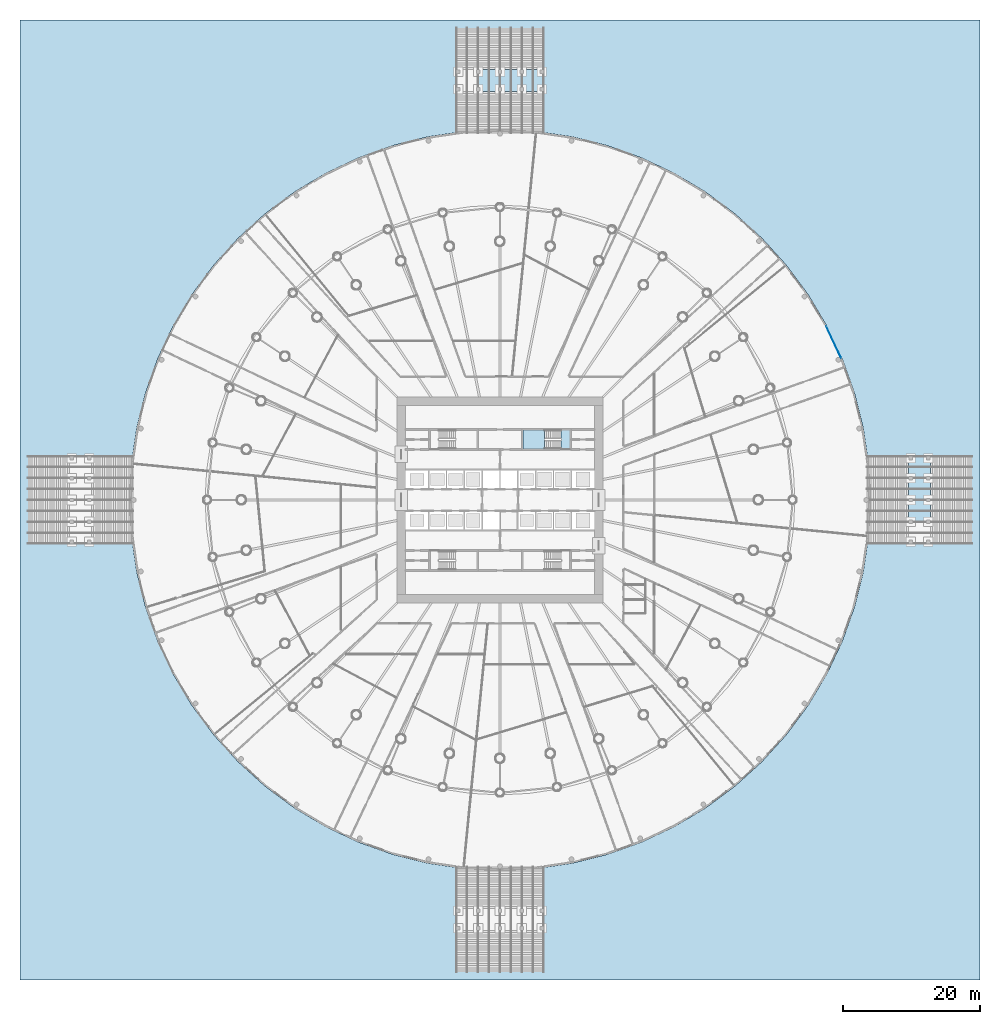
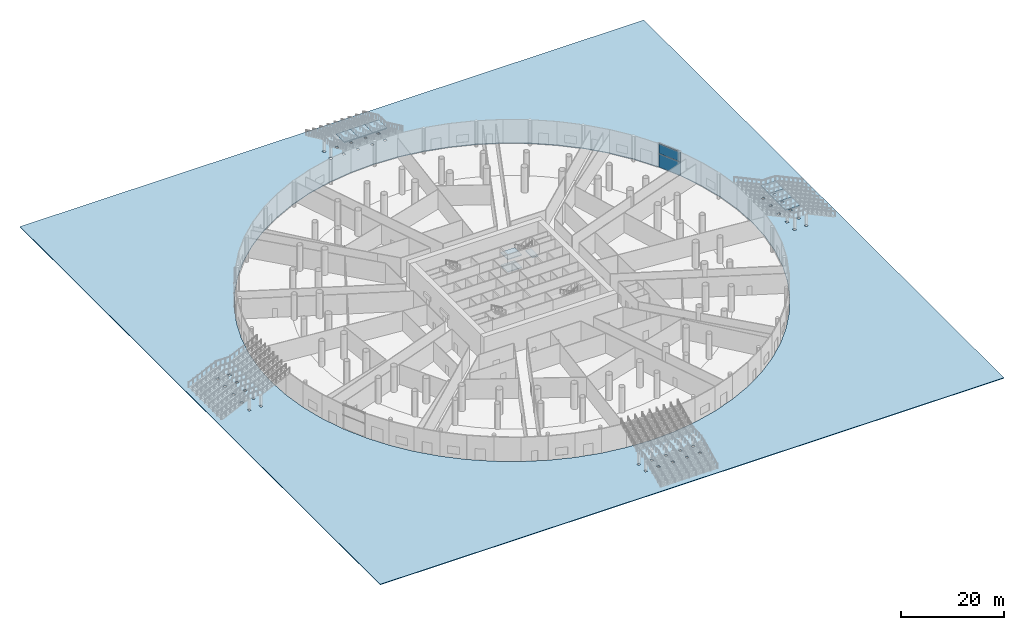
# One storey, part 12 of 33: 10 slabs, 2 plates, 8 elements without a shape of their own.
"""IFC4 building model written with IfcOpenShell, lengths in metres."""

import ifcopenshell
import ifcopenshell.guid

model = None  # the IFC model being written
_history = None  # IfcOwnerHistory: only IFC2X3 demands one
_inside = {}  # id of a spatial element -> (the spatial element, [elements in it])
_under = {}  # id of a project, library or spatial element -> (it, [spatial elements below it])
_declared = {}  # id of a project -> (the project, [libraries it declares])
_typed = {}  # id of a type object -> (the type object, [elements of that type])
_made_of = {}  # id of a material, layer set ... -> (it, [elements and type objects made of it])


def new_model(schema):
    """Start an empty IFC model of exactly this schema.

    Asked for "IFC4X3", IfcOpenShell would pick the latest addendum, in which some entities
    have other attributes; the version numbers below select the first issue.
    IFC2X3 requires an IfcOwnerHistory on every rooted entity: one is made here for all.
    """
    global model, _history
    if schema == "IFC4X3":
        model = ifcopenshell.file(schema_version=(4, 3, 0, 0))
    else:
        model = ifcopenshell.file(schema=schema)
    _inside.clear()
    _under.clear()
    _declared.clear()
    _typed.clear()
    _made_of.clear()
    _history = None
    if model.schema == "IFC2X3":
        org = make("IfcOrganization", Name="unknown")
        user = make(
            "IfcPersonAndOrganization",
            ThePerson=make("IfcPerson", FamilyName="unknown"),
            TheOrganization=org,
        )
        app = make(
            "IfcApplication",
            ApplicationDeveloper=org,
            Version="unknown",
            ApplicationFullName="unknown",
            ApplicationIdentifier="unknown",
        )
        _history = make(
            "IfcOwnerHistory",
            OwningUser=user,
            OwningApplication=app,
            ChangeAction="ADDED",
            CreationDate=0,
        )
    return model


def make(cls, **values):
    """One entity of the class cls with the attributes given. An attribute that is None is left unset."""
    return model.create_entity(
        cls, **{name: value for name, value in values.items() if value is not None}
    )


def rooted(cls, **values):
    """An entity with a GlobalId (a new one), such as an element, a storey or a relation."""
    return make(cls, GlobalId=ifcopenshell.guid.new(), OwnerHistory=_history, **values)


def si_unit(unit_type, name, prefix=None):
    """IfcSIUnit, for example si_unit("LENGTHUNIT", "METRE", prefix="MILLI")."""
    return make("IfcSIUnit", UnitType=unit_type, Prefix=prefix, Name=name)


def assignment(units):
    """IfcUnitAssignment: the units of a project."""
    return None if units is None else make("IfcUnitAssignment", Units=units)


def point(xyz):
    """IfcCartesianPoint."""
    return None if xyz is None else make("IfcCartesianPoint", Coordinates=xyz)


def direction(xyz):
    """IfcDirection."""
    return None if xyz is None else make("IfcDirection", DirectionRatios=xyz)


def frame(location, z_axis=None, x_axis=None):
    """IfcAxis2Placement3D, a coordinate frame: its origin and axes. An axis left out is left unset."""
    return make(
        "IfcAxis2Placement3D",
        Location=point(location),
        Axis=direction(z_axis),
        RefDirection=direction(x_axis),
    )


def frame_2d(location, x_axis=None):
    """IfcAxis2Placement2D, a coordinate frame in the plane: its origin and x axis."""
    return make(
        "IfcAxis2Placement2D", Location=point(location), RefDirection=direction(x_axis)
    )


def origin():
    """The frame at (0, 0, 0) with its axes left unset."""
    return frame((0.0, 0.0, 0.0))


def origin_2d():
    """The frame at (0, 0) in the plane with its x axis left unset."""
    return frame_2d((0.0, 0.0))


def place(relative_to, where):
    """IfcLocalPlacement: puts the frame where relative to a parent placement (None: the world)."""
    return make(
        "IfcLocalPlacement", PlacementRelTo=relative_to, RelativePlacement=where
    )


def context(
    kind, dimensions, precision=None, world=None, true_north=None, identifier=None
):
    """IfcGeometricRepresentationContext, for example the 3D "Model" context."""
    return make(
        "IfcGeometricRepresentationContext",
        ContextIdentifier=identifier,
        ContextType=kind,
        CoordinateSpaceDimension=dimensions,
        Precision=precision,
        WorldCoordinateSystem=world,
        TrueNorth=true_north,
    )


def subcontext(parent, identifier, kind, view, scale=None):
    """IfcGeometricRepresentationSubContext, for example "Body" below "Model"."""
    return make(
        "IfcGeometricRepresentationSubContext",
        ContextIdentifier=identifier,
        ContextType=kind,
        ParentContext=parent,
        TargetScale=scale,
        TargetView=view,
    )


def project(units=None, contexts=None):
    """IfcProject with its units and contexts."""
    return rooted(
        "IfcProject",
        Name="project",
        RepresentationContexts=contexts,
        UnitsInContext=assignment(units),
    )


def spatial(cls, under=None, at=None, **own):
    """A site, building, storey or space (cls), placed at a placement, below another one or the project."""
    s = rooted(cls, ObjectPlacement=at, **own)
    if under is not None:
        _under.setdefault(under.id(), (under, []))[1].append(s)
    return s


def polyline(points):
    """IfcPolyline through the points."""
    return make("IfcPolyline", Points=[point(p) for p in points])


def profile(cls, at=None, kind="AREA", **sizes):
    """A parametric profile (cls). Its sizes go by their IFC names, for example OverallWidth=200.0."""
    return make(cls, ProfileType=kind, Position=at, **sizes)


def rectangle(**sizes):
    """IfcRectangleProfileDef."""
    return profile("IfcRectangleProfileDef", **sizes)


def outline(outer, holes=None, kind="AREA"):
    """IfcArbitraryClosedProfileDef: a profile drawn as a closed curve; with holes, ...WithVoids."""
    if holes is None:
        return make("IfcArbitraryClosedProfileDef", ProfileType=kind, OuterCurve=outer)
    return make(
        "IfcArbitraryProfileDefWithVoids",
        ProfileType=kind,
        OuterCurve=outer,
        InnerCurves=holes,
    )


def extrude(swept, where, along, depth):
    """IfcExtrudedAreaSolid: the profile swept, set in the frame where, extruded along a direction by depth."""
    return make(
        "IfcExtrudedAreaSolid",
        SweptArea=swept,
        Position=where,
        ExtrudedDirection=direction(along),
        Depth=depth,
    )


def shape(context_of_items, identifier, shape_type, items):
    """IfcShapeRepresentation: the items that make up one representation, for example the "Body"."""
    return make(
        "IfcShapeRepresentation",
        ContextOfItems=context_of_items,
        RepresentationIdentifier=identifier,
        RepresentationType=shape_type,
        Items=items,
    )


def material(Name=None, Category=None):
    """IfcMaterial."""
    return make("IfcMaterial", Name=Name, Category=Category)


def layer(
    of_material, thickness, ventilated=None, Name=None, Category=None, Priority=None
):
    """IfcMaterialLayer: one layer of a wall or slab, of a material (None: an air gap)."""
    return make(
        "IfcMaterialLayer",
        Material=of_material,
        LayerThickness=thickness,
        IsVentilated=ventilated,
        Name=Name,
        Category=Category,
        Priority=Priority,
    )


def layer_set(layers, Name=None):
    """IfcMaterialLayerSet."""
    return make("IfcMaterialLayerSet", MaterialLayers=layers, LayerSetName=Name)


def made_of(thing, what):
    """Note that an element or type object is made of a material, layer set ...; save() writes the relation."""
    if what is not None:
        _made_of.setdefault(what.id(), (what, []))[1].append(thing)
    return thing


def type_object(cls, material=None, **own):
    """A type object (cls), such as IfcWallType, which elements share."""
    return made_of(rooted(cls, **own), material)


def element(
    cls,
    number,
    at=None,
    inside=None,
    cuts=None,
    type_object=None,
    material=None,
    context=None,
    identifier="Body",
    shape_type=None,
    held_by="IfcProductDefinitionShape",
    body=None,
    shapes=None,
    **own,
):
    """One element of the class cls, such as IfcWall. Its Tag is "e" and its number.

    at: its placement. inside: the storey or other place that contains it. cuts: it is an
    opening in that element (IfcRelVoidsElement). A single representation is given by context,
    identifier, shape_type and body (its items); several are given by shapes. held_by: the class
    of the entity that holds the representations. save() writes the other relations.
    """
    e = rooted(cls, Tag="e%d" % number, ObjectPlacement=at, **own)
    if body is not None:
        shapes = [shape(context, identifier, shape_type, body)]
    if shapes is not None:
        e.Representation = make(held_by, Representations=shapes)
    if inside is not None:
        _inside.setdefault(inside.id(), (inside, []))[1].append(e)
    if cuts is not None:
        rooted(
            "IfcRelVoidsElement", RelatingBuildingElement=cuts, RelatedOpeningElement=e
        )
    if type_object is not None:
        _typed.setdefault(type_object.id(), (type_object, []))[1].append(e)
    return made_of(e, material)


def aggregate(whole, parts):
    """IfcRelAggregates: a whole, such as a stair, and the parts it consists of."""
    return rooted("IfcRelAggregates", RelatingObject=whole, RelatedObjects=parts)


def save(model, path):
    """Write the relations noted so far, then the file.

    IfcRelAggregates (storeys below a building ...), IfcRelContainedInSpatialStructure (elements
    in a storey), IfcRelDefinesByType, IfcRelAssociatesMaterial and IfcRelDeclares: one each for
    every whole, place, type object, material and project.
    """
    for whole, parts in _under.values():
        aggregate(whole, parts)
    for where, things in _inside.values():
        rooted(
            "IfcRelContainedInSpatialStructure",
            RelatedElements=things,
            RelatingStructure=where,
        )
    for kind, things in _typed.values():
        rooted("IfcRelDefinesByType", RelatedObjects=things, RelatingType=kind)
    for what, things in _made_of.values():
        rooted("IfcRelAssociatesMaterial", RelatedObjects=things, RelatingMaterial=what)
    for by, libraries in _declared.values():
        rooted("IfcRelDeclares", RelatingContext=by, RelatedDefinitions=libraries)
    model.write(path)


model = new_model("IFC4")

# Units and contexts
model_context = context("Model", 3, precision=1e-05, world=origin(), true_north=direction((0.0, 1.0)))
body_context = subcontext(model_context, "Body", "Model", "MODEL_VIEW")
ifc_project = project(units=[si_unit("LENGTHUNIT", "METRE"), si_unit("AREAUNIT", "SQUARE_METRE"), si_unit("VOLUMEUNIT", "CUBIC_METRE"), si_unit("PLANEANGLEUNIT", "RADIAN"), si_unit("MASSUNIT", "GRAM", prefix="KILO")], contexts=[model_context])

# Site, building, storey
site_placement = place(None, origin())
site = spatial("IfcSite", under=ifc_project, at=site_placement, CompositionType="ELEMENT")
building_placement = place(site_placement, origin())
building = spatial("IfcBuilding", under=site, at=building_placement, Name="Corvane Civic Tower", CompositionType="ELEMENT")
storey_placement = place(building_placement, origin())
storey = spatial("IfcBuildingStorey", under=building, at=storey_placement, Name="G", CompositionType="ELEMENT", Elevation=0.0)

# Curtain wall, plates
ifc_material_1 = material(Name="Aluminium and glass", Category="aluminium")
curtain_wall_type = type_object("IfcCurtainWallType", Name="PODIUM-CW-L-RUN", PredefinedType="NOTDEFINED", material=ifc_material_1)
curtain_wall_placement = place(storey_placement, origin())
curtain_wall = element("IfcCurtainWall", 1, at=curtain_wall_placement, inside=storey, type_object=curtain_wall_type, Name="PODI run G-plinth-06B", PredefinedType="NOTDEFINED")
ifc_material_2 = material(Name="Glass tinted low-e laminated", Category="glass")
ifc_layer_1 = layer(ifc_material_2, 0.0400390625)
ifc_layer_set_1 = layer_set([ifc_layer_1], Name="Glass tinted low-e laminated")
plate_type = type_object("IfcPlateType", Name="PODIUM-CWL-PANEL-IGU40", PredefinedType="CURTAIN_PANEL", material=ifc_layer_set_1)
plate_1_placement = place(storey_placement, frame((48.666259765625, 23.017333984375, 0.080078125), z_axis=(0.0, 0.0, 1.0), x_axis=(0.427545190932, -0.90399397659, 0.0)))
plate_1 = element("IfcPlate", 2, at=plate_1_placement, type_object=plate_type, Name="CW-L panel 1.1", PredefinedType="CURTAIN_PANEL", context=body_context, shape_type="SweptSolid", body=[
    extrude(rectangle(XDim=5.099365234375, YDim=0.0400390625, at=origin_2d()), origin(), (0.0, 0.0, 1.0), 3.179931640625),
])
plate_2_placement = place(storey_placement, frame((48.666259765625, 23.017333984375, 3.33984375), z_axis=(0.0, 0.0, 1.0), x_axis=(0.427545190932, -0.90399397659, 0.0)))
plate_2 = element("IfcPlate", 3, at=plate_2_placement, type_object=plate_type, Name="CW-L panel 1.2", PredefinedType="CURTAIN_PANEL", context=body_context, shape_type="SweptSolid", body=[
    extrude(rectangle(XDim=5.099365234375, YDim=0.0400390625, at=origin_2d()), origin(), (0.0, 0.0, 1.0), 2.280029296875),
])
aggregate(curtain_wall, [plate_1, plate_2])

# Stair, slab
ifc_material_3 = material(Name="Concrete C40/50", Category="concrete")
stair_type_1 = type_object("IfcStairType", Name="PODIUM-ST-BROAD-EXT", PredefinedType="USERDEFINED", material=ifc_material_3)
stair_1_placement = place(storey_placement, origin())
stair_1 = element("IfcStair", 4, at=stair_1_placement, inside=storey, type_object=stair_type_1, Name="Broad exterior stair north run A", ObjectType="BROAD STEPS", PredefinedType="USERDEFINED")
ifc_material_4 = material(Name="Concrete C40/50", Category="concrete")
ifc_layer_2 = layer(ifc_material_4, 0.25)
ifc_layer_set_2 = layer_set([ifc_layer_2], Name="Concrete C40/50")
slab_type_1 = type_object("IfcSlabType", Name="PODIUM-SL-LANDING-250", PredefinedType="LANDING", material=ifc_layer_set_2)
slab_1_placement = place(storey_placement, frame((0.0, 0.0, 2.75)))
slab_1 = element("IfcSlab", 5, at=slab_1_placement, type_object=slab_type_1, Name="BS1-A landing 1", PredefinedType="LANDING", context=body_context, shape_type="SweptSolid", body=[
    extrude(outline(polyline([(6.39990234375, 59.580078125), (3.199951171875, 59.580078125), (3.199951171875, 62.780029296875), (6.39990234375, 62.780029296875), (6.39990234375, 59.580078125)])), origin(), (0.0, 0.0, 1.0), 0.25),
])
aggregate(stair_1, [slab_1])

stair_2_placement = place(storey_placement, origin())
stair_2 = element("IfcStair", 6, at=stair_2_placement, inside=storey, type_object=stair_type_1, Name="Broad exterior stair north run B", ObjectType="BROAD STEPS", PredefinedType="USERDEFINED")
slab_2_placement = place(storey_placement, frame((0.0, 0.0, 2.75)))
slab_2 = element("IfcSlab", 7, at=slab_2_placement, type_object=slab_type_1, Name="BS1-B landing 1", PredefinedType="LANDING", context=body_context, shape_type="SweptSolid", body=[
    extrude(outline(polyline([(3.199951171875, 59.580078125), (0.0, 59.580078125), (0.0, 62.780029296875), (3.199951171875, 62.780029296875), (3.199951171875, 59.580078125)])), origin(), (0.0, 0.0, 1.0), 0.25),
])
aggregate(stair_2, [slab_2])

stair_3_placement = place(storey_placement, origin())
stair_3 = element("IfcStair", 8, at=stair_3_placement, inside=storey, type_object=stair_type_1, Name="Broad exterior stair north run C", ObjectType="BROAD STEPS", PredefinedType="USERDEFINED")
slab_3_placement = place(storey_placement, frame((0.0, 0.0, 2.75)))
slab_3 = element("IfcSlab", 9, at=slab_3_placement, type_object=slab_type_1, Name="BS1-C landing 1", PredefinedType="LANDING", context=body_context, shape_type="SweptSolid", body=[
    extrude(outline(polyline([(0.0, 59.580078125), (-3.199951171875, 59.580078125), (-3.199951171875, 62.780029296875), (0.0, 62.780029296875), (0.0, 59.580078125)])), origin(), (0.0, 0.0, 1.0), 0.25),
])
aggregate(stair_3, [slab_3])

stair_4_placement = place(storey_placement, origin())
stair_4 = element("IfcStair", 10, at=stair_4_placement, inside=storey, type_object=stair_type_1, Name="Broad exterior stair east run B", ObjectType="BROAD STEPS", PredefinedType="USERDEFINED")
slab_4_placement = place(storey_placement, frame((0.0, 0.0, 2.75)))
slab_4 = element("IfcSlab", 11, at=slab_4_placement, type_object=slab_type_1, Name="BS2-B landing 1", PredefinedType="LANDING", context=body_context, shape_type="SweptSolid", body=[
    extrude(outline(polyline([(59.580078125, -3.199951171875), (59.580078125, 0.0), (62.780029296875, 0.0), (62.780029296875, -3.199951171875), (59.580078125, -3.199951171875)])), origin(), (0.0, 0.0, 1.0), 0.25),
])
aggregate(stair_4, [slab_4])

stair_5_placement = place(storey_placement, origin())
stair_5 = element("IfcStair", 12, at=stair_5_placement, inside=storey, type_object=stair_type_1, Name="Broad exterior stair east run C", ObjectType="BROAD STEPS", PredefinedType="USERDEFINED")
slab_5_placement = place(storey_placement, frame((0.0, 0.0, 2.75)))
slab_5 = element("IfcSlab", 13, at=slab_5_placement, type_object=slab_type_1, Name="BS2-C landing 1", PredefinedType="LANDING", context=body_context, shape_type="SweptSolid", body=[
    extrude(outline(polyline([(59.580078125, 0.0), (59.580078125, 3.199951171875), (62.780029296875, 3.199951171875), (62.780029296875, 0.0), (59.580078125, 0.0)])), origin(), (0.0, 0.0, 1.0), 0.25),
])
aggregate(stair_5, [slab_5])

stair_6_placement = place(storey_placement, origin())
stair_6 = element("IfcStair", 14, at=stair_6_placement, inside=storey, type_object=stair_type_1, Name="Broad exterior stair east run D", ObjectType="BROAD STEPS", PredefinedType="USERDEFINED")
slab_6_placement = place(storey_placement, frame((0.0, 0.0, 2.75)))
slab_6 = element("IfcSlab", 15, at=slab_6_placement, type_object=slab_type_1, Name="BS2-D landing 1", PredefinedType="LANDING", context=body_context, shape_type="SweptSolid", body=[
    extrude(outline(polyline([(59.580078125, 3.199951171875), (59.580078125, 6.39990234375), (62.780029296875, 6.39990234375), (62.780029296875, 3.199951171875), (59.580078125, 3.199951171875)])), origin(), (0.0, 0.0, 1.0), 0.25),
])
aggregate(stair_6, [slab_6])

# Slab
ifc_material_5 = material(Name="Concrete C30/37", Category="concrete")
ifc_layer_3 = layer(ifc_material_5, 0.14990234375)
ifc_layer_set_3 = layer_set([ifc_layer_3], Name="Concrete C30/37")
slab_type_2 = type_object("IfcSlabType", Name="PODIUM-SL-PAVING-150", PredefinedType="USERDEFINED", material=ifc_layer_set_3)
slab_7_placement = place(storey_placement, frame((0.0, 0.0, -0.14990234375)))
element("IfcSlab", 16, at=slab_7_placement, inside=storey, type_object=slab_type_2, Name="Apron paving", ObjectType="PAVING", PredefinedType="USERDEFINED", context=body_context, shape_type="SweptSolid", body=[
    extrude(outline(polyline([(-70.0, 70.0), (-70.0, -70.0), (70.0, -70.0), (70.0, 70.0), (-70.0, 70.0)]), holes=[polyline([(-10.534912109375, 52.96240234375), (-5.29296875, 53.739990234375), (0.0, 54.0), (5.29296875, 53.739990234375), (10.534912109375, 52.96240234375), (15.67529296875, 51.6748046875), (20.664794921875, 49.889404296875), (25.455322265625, 47.623779296875), (30.000732421875, 44.8994140625), (34.25732421875, 41.74267578125), (38.183837890625, 38.183837890625), (41.74267578125, 34.25732421875), (44.8994140625, 30.000732421875), (47.623779296875, 25.455322265625), (49.889404296875, 20.664794921875), (51.6748046875, 15.67529296875), (52.96240234375, 10.534912109375), (53.739990234375, 5.29296875), (54.0, 0.0), (53.739990234375, -5.29296875), (52.96240234375, -10.534912109375), (51.6748046875, -15.67529296875), (49.889404296875, -20.664794921875), (47.623779296875, -25.455322265625), (44.8994140625, -30.000732421875), (41.74267578125, -34.25732421875), (38.183837890625, -38.183837890625), (34.25732421875, -41.74267578125), (30.000732421875, -44.8994140625), (25.455322265625, -47.623779296875), (20.664794921875, -49.889404296875), (15.67529296875, -51.6748046875), (10.534912109375, -52.96240234375), (5.29296875, -53.739990234375), (0.0, -54.0), (-5.29296875, -53.739990234375), (-10.534912109375, -52.96240234375), (-15.67529296875, -51.6748046875), (-20.664794921875, -49.889404296875), (-25.455322265625, -47.623779296875), (-30.000732421875, -44.8994140625), (-34.25732421875, -41.74267578125), (-38.183837890625, -38.183837890625), (-41.74267578125, -34.25732421875), (-44.8994140625, -30.000732421875), (-47.623779296875, -25.455322265625), (-49.889404296875, -20.664794921875), (-51.6748046875, -15.67529296875), (-52.96240234375, -10.534912109375), (-53.739990234375, -5.29296875), (-54.0, 0.0), (-53.739990234375, 5.29296875), (-52.96240234375, 10.534912109375), (-51.6748046875, 15.67529296875), (-49.889404296875, 20.664794921875), (-47.623779296875, 25.455322265625), (-44.8994140625, 30.000732421875), (-41.74267578125, 34.25732421875), (-38.183837890625, 38.183837890625), (-34.25732421875, 41.74267578125), (-30.000732421875, 44.8994140625), (-25.455322265625, 47.623779296875), (-20.664794921875, 49.889404296875), (-15.67529296875, 51.6748046875), (-10.534912109375, 52.96240234375)]), polyline([(0.280029296875, -62.760009765625), (-0.280029296875, -62.760009765625), (-0.280029296875, -62.199951171875), (0.280029296875, -62.199951171875), (0.280029296875, -62.760009765625)]), polyline([(-2.919921875, -62.760009765625), (-3.47998046875, -62.760009765625), (-3.47998046875, -62.199951171875), (-2.919921875, -62.199951171875), (-2.919921875, -62.760009765625)]), polyline([(-5.820068359375, -62.760009765625), (-6.3798828125, -62.760009765625), (-6.3798828125, -62.199951171875), (-5.820068359375, -62.199951171875), (-5.820068359375, -62.760009765625)]), polyline([(-0.280029296875, -60.159912109375), (-0.280029296875, -59.60009765625), (0.280029296875, -59.60009765625), (0.280029296875, -60.159912109375), (-0.280029296875, -60.159912109375)]), polyline([(-3.47998046875, -60.159912109375), (-3.47998046875, -59.60009765625), (-2.919921875, -59.60009765625), (-2.919921875, -60.159912109375), (-3.47998046875, -60.159912109375)]), polyline([(-5.820068359375, -60.159912109375), (-6.3798828125, -60.159912109375), (-6.3798828125, -59.60009765625), (-5.820068359375, -59.60009765625), (-5.820068359375, -60.159912109375)]), polyline([(-59.60009765625, -6.3798828125), (-60.159912109375, -6.3798828125), (-60.159912109375, -5.820068359375), (-59.60009765625, -5.820068359375), (-59.60009765625, -6.3798828125)]), polyline([(-62.199951171875, -6.3798828125), (-62.760009765625, -6.3798828125), (-62.760009765625, -5.820068359375), (-62.199951171875, -5.820068359375), (-62.199951171875, -6.3798828125)]), polyline([(-60.159912109375, -3.47998046875), (-60.159912109375, -2.919921875), (-59.60009765625, -2.919921875), (-59.60009765625, -3.47998046875), (-60.159912109375, -3.47998046875)]), polyline([(-62.760009765625, -3.47998046875), (-62.760009765625, -2.919921875), (-62.199951171875, -2.919921875), (-62.199951171875, -3.47998046875), (-62.760009765625, -3.47998046875)]), polyline([(-59.60009765625, -0.280029296875), (-60.159912109375, -0.280029296875), (-60.159912109375, 0.280029296875), (-59.60009765625, 0.280029296875), (-59.60009765625, -0.280029296875)]), polyline([(-62.199951171875, -0.280029296875), (-62.760009765625, -0.280029296875), (-62.760009765625, 0.280029296875), (-62.199951171875, 0.280029296875), (-62.199951171875, -0.280029296875)]), polyline([(-59.60009765625, 2.919921875), (-60.159912109375, 2.919921875), (-60.159912109375, 3.47998046875), (-59.60009765625, 3.47998046875), (-59.60009765625, 2.919921875)]), polyline([(-62.760009765625, 2.919921875), (-62.760009765625, 3.47998046875), (-62.199951171875, 3.47998046875), (-62.199951171875, 2.919921875), (-62.760009765625, 2.919921875)]), polyline([(-60.159912109375, 5.820068359375), (-60.159912109375, 6.3798828125), (-59.60009765625, 6.3798828125), (-59.60009765625, 5.820068359375), (-60.159912109375, 5.820068359375)]), polyline([(-62.199951171875, 5.820068359375), (-62.760009765625, 5.820068359375), (-62.760009765625, 6.3798828125), (-62.199951171875, 6.3798828125), (-62.199951171875, 5.820068359375)]), polyline([(-5.820068359375, 59.60009765625), (-6.3798828125, 59.60009765625), (-6.3798828125, 60.159912109375), (-5.820068359375, 60.159912109375), (-5.820068359375, 59.60009765625)]), polyline([(-2.919921875, 59.60009765625), (-3.47998046875, 59.60009765625), (-3.47998046875, 60.159912109375), (-2.919921875, 60.159912109375), (-2.919921875, 59.60009765625)]), polyline([(-6.3798828125, 62.199951171875), (-6.3798828125, 62.760009765625), (-5.820068359375, 62.760009765625), (-5.820068359375, 62.199951171875), (-6.3798828125, 62.199951171875)]), polyline([(-3.47998046875, 62.199951171875), (-3.47998046875, 62.760009765625), (-2.919921875, 62.760009765625), (-2.919921875, 62.199951171875), (-3.47998046875, 62.199951171875)]), polyline([(3.47998046875, -62.760009765625), (2.919921875, -62.760009765625), (2.919921875, -62.199951171875), (3.47998046875, -62.199951171875), (3.47998046875, -62.760009765625)]), polyline([(6.3798828125, -62.760009765625), (5.820068359375, -62.760009765625), (5.820068359375, -62.199951171875), (6.3798828125, -62.199951171875), (6.3798828125, -62.760009765625)]), polyline([(3.47998046875, -60.159912109375), (2.919921875, -60.159912109375), (2.919921875, -59.60009765625), (3.47998046875, -59.60009765625), (3.47998046875, -60.159912109375)]), polyline([(5.820068359375, -60.159912109375), (5.820068359375, -59.60009765625), (6.3798828125, -59.60009765625), (6.3798828125, -60.159912109375), (5.820068359375, -60.159912109375)]), polyline([(62.199951171875, -6.3798828125), (62.199951171875, -5.820068359375), (62.760009765625, -5.820068359375), (62.760009765625, -6.3798828125), (62.199951171875, -6.3798828125)]), polyline([(60.159912109375, -6.3798828125), (59.60009765625, -6.3798828125), (59.60009765625, -5.820068359375), (60.159912109375, -5.820068359375), (60.159912109375, -6.3798828125)]), polyline([(60.159912109375, -3.47998046875), (59.60009765625, -3.47998046875), (59.60009765625, -2.919921875), (60.159912109375, -2.919921875), (60.159912109375, -3.47998046875)]), polyline([(62.760009765625, -3.47998046875), (62.199951171875, -3.47998046875), (62.199951171875, -2.919921875), (62.760009765625, -2.919921875), (62.760009765625, -3.47998046875)]), polyline([(59.60009765625, -0.280029296875), (59.60009765625, 0.280029296875), (60.159912109375, 0.280029296875), (60.159912109375, -0.280029296875), (59.60009765625, -0.280029296875)]), polyline([(62.199951171875, -0.280029296875), (62.199951171875, 0.280029296875), (62.760009765625, 0.280029296875), (62.760009765625, -0.280029296875), (62.199951171875, -0.280029296875)]), polyline([(60.159912109375, 2.919921875), (59.60009765625, 2.919921875), (59.60009765625, 3.47998046875), (60.159912109375, 3.47998046875), (60.159912109375, 2.919921875)]), polyline([(62.760009765625, 2.919921875), (62.199951171875, 2.919921875), (62.199951171875, 3.47998046875), (62.760009765625, 3.47998046875), (62.760009765625, 2.919921875)]), polyline([(60.159912109375, 5.820068359375), (59.60009765625, 5.820068359375), (59.60009765625, 6.3798828125), (60.159912109375, 6.3798828125), (60.159912109375, 5.820068359375)]), polyline([(62.199951171875, 5.820068359375), (62.199951171875, 6.3798828125), (62.760009765625, 6.3798828125), (62.760009765625, 5.820068359375), (62.199951171875, 5.820068359375)]), polyline([(5.820068359375, 59.60009765625), (5.820068359375, 60.159912109375), (6.3798828125, 60.159912109375), (6.3798828125, 59.60009765625), (5.820068359375, 59.60009765625)]), polyline([(0.280029296875, 59.60009765625), (-0.280029296875, 59.60009765625), (-0.280029296875, 60.159912109375), (0.280029296875, 60.159912109375), (0.280029296875, 59.60009765625)]), polyline([(3.47998046875, 59.60009765625), (2.919921875, 59.60009765625), (2.919921875, 60.159912109375), (3.47998046875, 60.159912109375), (3.47998046875, 59.60009765625)]), polyline([(6.3798828125, 62.199951171875), (5.820068359375, 62.199951171875), (5.820068359375, 62.760009765625), (6.3798828125, 62.760009765625), (6.3798828125, 62.199951171875)]), polyline([(2.919921875, 62.199951171875), (2.919921875, 62.760009765625), (3.47998046875, 62.760009765625), (3.47998046875, 62.199951171875), (2.919921875, 62.199951171875)]), polyline([(-0.280029296875, 62.199951171875), (-0.280029296875, 62.760009765625), (0.280029296875, 62.760009765625), (0.280029296875, 62.199951171875), (-0.280029296875, 62.199951171875)])]), origin(), (0.0, 0.0, 1.0), 0.14990234375),
])

# Stair, slabs
ifc_material_6 = material(Name="Concrete C40/50", Category="concrete")
stair_type_2 = type_object("IfcStairType", Name="ST-STAIR-HALFTURN", PredefinedType="HALF_TURN_STAIR", material=ifc_material_6)
stair_7_placement = place(storey_placement, origin())
stair_7 = element("IfcStair", 17, at=stair_7_placement, inside=storey, type_object=stair_type_2, Name="G Exit stair ST1", PredefinedType="HALF_TURN_STAIR")
ifc_material_7 = material(Name="Concrete C40/50", Category="concrete")
ifc_layer_4 = layer(ifc_material_7, 0.199951171875)
ifc_layer_set_4 = layer_set([ifc_layer_4], Name="Concrete C40/50")
slab_type_3 = type_object("IfcSlabType", Name="ST-LANDING-RC", PredefinedType="LANDING", material=ifc_layer_set_4)
slab_8_placement = place(storey_placement, frame((0.0, 0.0, 1.300048828125)))
slab_8 = element("IfcSlab", 18, at=slab_8_placement, type_object=slab_type_3, Name="ST1 landing 1", PredefinedType="LANDING", context=body_context, shape_type="SweptSolid", body=[
    extrude(outline(polyline([(6.5, 10.199951171875), (3.35009765625, 10.199951171875), (3.35009765625, 7.449951171875), (6.5, 7.449951171875), (6.5, 10.199951171875)])), origin(), (0.0, 0.0, 1.0), 0.199951171875),
])
slab_9_placement = place(storey_placement, frame((0.0, 0.0, 2.800048828125)))
slab_9 = element("IfcSlab", 19, at=slab_9_placement, type_object=slab_type_3, Name="ST1 landing 2", PredefinedType="LANDING", context=body_context, shape_type="SweptSolid", body=[
    extrude(outline(polyline([(10.199951171875, 10.199951171875), (8.89990234375, 10.199951171875), (8.89990234375, 7.449951171875), (10.199951171875, 7.449951171875), (10.199951171875, 10.199951171875)])), origin(), (0.0, 0.0, 1.0), 0.199951171875),
])
slab_10_placement = place(storey_placement, frame((0.0, 0.0, 4.300048828125)))
slab_10 = element("IfcSlab", 20, at=slab_10_placement, type_object=slab_type_3, Name="ST1 landing 3", PredefinedType="LANDING", context=body_context, shape_type="SweptSolid", body=[
    extrude(outline(polyline([(6.5, 10.199951171875), (3.35009765625, 10.199951171875), (3.35009765625, 7.449951171875), (6.5, 7.449951171875), (6.5, 10.199951171875)])), origin(), (0.0, 0.0, 1.0), 0.199951171875),
])
aggregate(stair_7, [slab_8, slab_9, slab_10])

save(model, "model.ifc")
